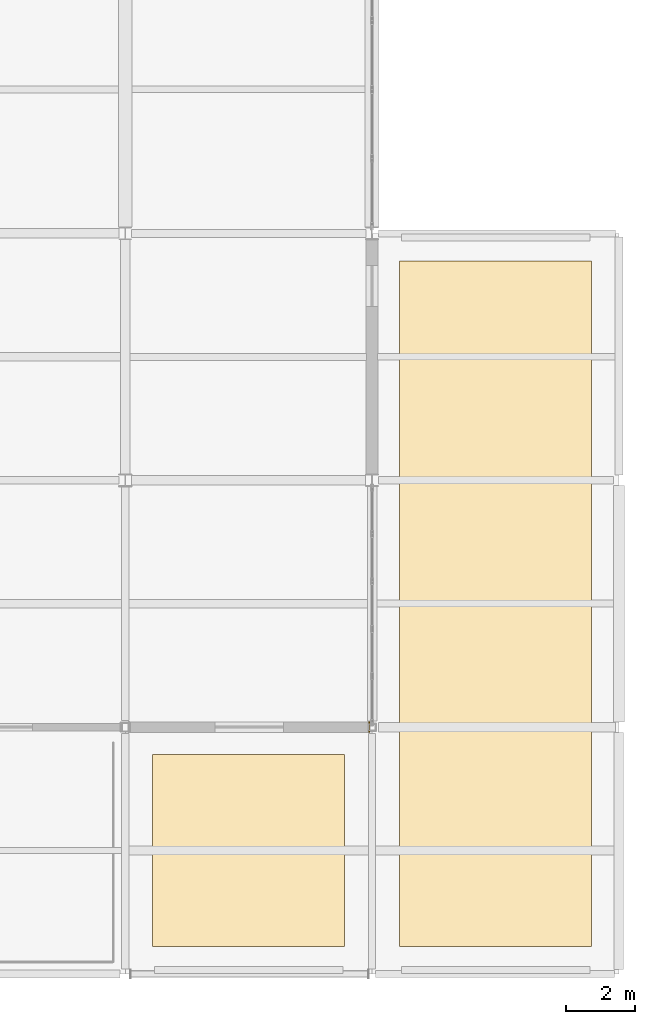
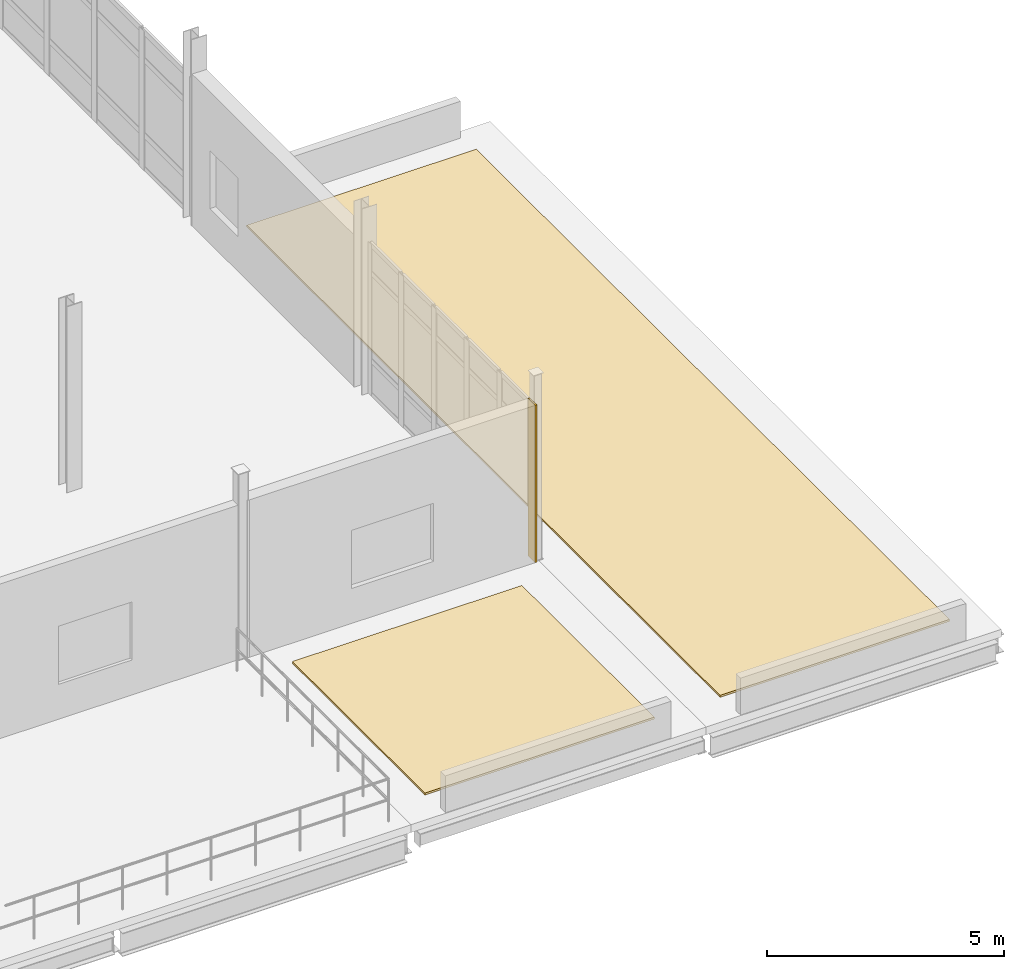
# One storey, part 184 of 186: 3 coverings.
"""IFC4 building model written with IfcOpenShell, lengths in metres."""

import ifcopenshell
import ifcopenshell.guid

model = None  # the IFC model being written
_history = None  # IfcOwnerHistory: only IFC2X3 demands one
_inside = {}  # id of a spatial element -> (the spatial element, [elements in it])
_under = {}  # id of a project, library or spatial element -> (it, [spatial elements below it])
_declared = {}  # id of a project -> (the project, [libraries it declares])
_typed = {}  # id of a type object -> (the type object, [elements of that type])
_made_of = {}  # id of a material, layer set ... -> (it, [elements and type objects made of it])


def new_model(schema):
    """Start an empty IFC model of exactly this schema.

    Asked for "IFC4X3", IfcOpenShell would pick the latest addendum, in which some entities
    have other attributes; the version numbers below select the first issue.
    IFC2X3 requires an IfcOwnerHistory on every rooted entity: one is made here for all.
    """
    global model, _history
    if schema == "IFC4X3":
        model = ifcopenshell.file(schema_version=(4, 3, 0, 0))
    else:
        model = ifcopenshell.file(schema=schema)
    _inside.clear()
    _under.clear()
    _declared.clear()
    _typed.clear()
    _made_of.clear()
    _history = None
    if model.schema == "IFC2X3":
        org = make("IfcOrganization", Name="unknown")
        user = make(
            "IfcPersonAndOrganization",
            ThePerson=make("IfcPerson", FamilyName="unknown"),
            TheOrganization=org,
        )
        app = make(
            "IfcApplication",
            ApplicationDeveloper=org,
            Version="unknown",
            ApplicationFullName="unknown",
            ApplicationIdentifier="unknown",
        )
        _history = make(
            "IfcOwnerHistory",
            OwningUser=user,
            OwningApplication=app,
            ChangeAction="ADDED",
            CreationDate=0,
        )
    return model


def make(cls, **values):
    """One entity of the class cls with the attributes given. An attribute that is None is left unset."""
    return model.create_entity(
        cls, **{name: value for name, value in values.items() if value is not None}
    )


def rooted(cls, **values):
    """An entity with a GlobalId (a new one), such as an element, a storey or a relation."""
    return make(cls, GlobalId=ifcopenshell.guid.new(), OwnerHistory=_history, **values)


def si_unit(unit_type, name, prefix=None):
    """IfcSIUnit, for example si_unit("LENGTHUNIT", "METRE", prefix="MILLI")."""
    return make("IfcSIUnit", UnitType=unit_type, Prefix=prefix, Name=name)


def assignment(units):
    """IfcUnitAssignment: the units of a project."""
    return None if units is None else make("IfcUnitAssignment", Units=units)


def point(xyz):
    """IfcCartesianPoint."""
    return None if xyz is None else make("IfcCartesianPoint", Coordinates=xyz)


def direction(xyz):
    """IfcDirection."""
    return None if xyz is None else make("IfcDirection", DirectionRatios=xyz)


def frame(location, z_axis=None, x_axis=None):
    """IfcAxis2Placement3D, a coordinate frame: its origin and axes. An axis left out is left unset."""
    return make(
        "IfcAxis2Placement3D",
        Location=point(location),
        Axis=direction(z_axis),
        RefDirection=direction(x_axis),
    )


def origin():
    """The frame at (0, 0, 0) with its axes left unset."""
    return frame((0.0, 0.0, 0.0))


def place(relative_to, where):
    """IfcLocalPlacement: puts the frame where relative to a parent placement (None: the world)."""
    return make(
        "IfcLocalPlacement", PlacementRelTo=relative_to, RelativePlacement=where
    )


def context(
    kind, dimensions, precision=None, world=None, true_north=None, identifier=None
):
    """IfcGeometricRepresentationContext, for example the 3D "Model" context."""
    return make(
        "IfcGeometricRepresentationContext",
        ContextIdentifier=identifier,
        ContextType=kind,
        CoordinateSpaceDimension=dimensions,
        Precision=precision,
        WorldCoordinateSystem=world,
        TrueNorth=true_north,
    )


def subcontext(parent, identifier, kind, view, scale=None):
    """IfcGeometricRepresentationSubContext, for example "Body" below "Model"."""
    return make(
        "IfcGeometricRepresentationSubContext",
        ContextIdentifier=identifier,
        ContextType=kind,
        ParentContext=parent,
        TargetScale=scale,
        TargetView=view,
    )


def project(units=None, contexts=None):
    """IfcProject with its units and contexts."""
    return rooted(
        "IfcProject",
        Name="project",
        RepresentationContexts=contexts,
        UnitsInContext=assignment(units),
    )


def spatial(cls, under=None, at=None, **own):
    """A site, building, storey or space (cls), placed at a placement, below another one or the project."""
    s = rooted(cls, ObjectPlacement=at, **own)
    if under is not None:
        _under.setdefault(under.id(), (under, []))[1].append(s)
    return s


def polyline(points):
    """IfcPolyline through the points."""
    return make("IfcPolyline", Points=[point(p) for p in points])


def outline(outer, holes=None, kind="AREA"):
    """IfcArbitraryClosedProfileDef: a profile drawn as a closed curve; with holes, ...WithVoids."""
    if holes is None:
        return make("IfcArbitraryClosedProfileDef", ProfileType=kind, OuterCurve=outer)
    return make(
        "IfcArbitraryProfileDefWithVoids",
        ProfileType=kind,
        OuterCurve=outer,
        InnerCurves=holes,
    )


def extrude(swept, where, along, depth):
    """IfcExtrudedAreaSolid: the profile swept, set in the frame where, extruded along a direction by depth."""
    return make(
        "IfcExtrudedAreaSolid",
        SweptArea=swept,
        Position=where,
        ExtrudedDirection=direction(along),
        Depth=depth,
    )


def shape(context_of_items, identifier, shape_type, items):
    """IfcShapeRepresentation: the items that make up one representation, for example the "Body"."""
    return make(
        "IfcShapeRepresentation",
        ContextOfItems=context_of_items,
        RepresentationIdentifier=identifier,
        RepresentationType=shape_type,
        Items=items,
    )


def material(Name=None, Category=None):
    """IfcMaterial."""
    return make("IfcMaterial", Name=Name, Category=Category)


def layer(
    of_material, thickness, ventilated=None, Name=None, Category=None, Priority=None
):
    """IfcMaterialLayer: one layer of a wall or slab, of a material (None: an air gap)."""
    return make(
        "IfcMaterialLayer",
        Material=of_material,
        LayerThickness=thickness,
        IsVentilated=ventilated,
        Name=Name,
        Category=Category,
        Priority=Priority,
    )


def layer_set(layers, Name=None):
    """IfcMaterialLayerSet."""
    return make("IfcMaterialLayerSet", MaterialLayers=layers, LayerSetName=Name)


def made_of(thing, what):
    """Note that an element or type object is made of a material, layer set ...; save() writes the relation."""
    if what is not None:
        _made_of.setdefault(what.id(), (what, []))[1].append(thing)
    return thing


def type_object(cls, material=None, **own):
    """A type object (cls), such as IfcWallType, which elements share."""
    return made_of(rooted(cls, **own), material)


def element(
    cls,
    number,
    at=None,
    inside=None,
    cuts=None,
    type_object=None,
    material=None,
    context=None,
    identifier="Body",
    shape_type=None,
    held_by="IfcProductDefinitionShape",
    body=None,
    shapes=None,
    **own,
):
    """One element of the class cls, such as IfcWall. Its Tag is "e" and its number.

    at: its placement. inside: the storey or other place that contains it. cuts: it is an
    opening in that element (IfcRelVoidsElement). A single representation is given by context,
    identifier, shape_type and body (its items); several are given by shapes. held_by: the class
    of the entity that holds the representations. save() writes the other relations.
    """
    e = rooted(cls, Tag="e%d" % number, ObjectPlacement=at, **own)
    if body is not None:
        shapes = [shape(context, identifier, shape_type, body)]
    if shapes is not None:
        e.Representation = make(held_by, Representations=shapes)
    if inside is not None:
        _inside.setdefault(inside.id(), (inside, []))[1].append(e)
    if cuts is not None:
        rooted(
            "IfcRelVoidsElement", RelatingBuildingElement=cuts, RelatedOpeningElement=e
        )
    if type_object is not None:
        _typed.setdefault(type_object.id(), (type_object, []))[1].append(e)
    return made_of(e, material)


def aggregate(whole, parts):
    """IfcRelAggregates: a whole, such as a stair, and the parts it consists of."""
    return rooted("IfcRelAggregates", RelatingObject=whole, RelatedObjects=parts)


def save(model, path):
    """Write the relations noted so far, then the file.

    IfcRelAggregates (storeys below a building ...), IfcRelContainedInSpatialStructure (elements
    in a storey), IfcRelDefinesByType, IfcRelAssociatesMaterial and IfcRelDeclares: one each for
    every whole, place, type object, material and project.
    """
    for whole, parts in _under.values():
        aggregate(whole, parts)
    for where, things in _inside.values():
        rooted(
            "IfcRelContainedInSpatialStructure",
            RelatedElements=things,
            RelatingStructure=where,
        )
    for kind, things in _typed.values():
        rooted("IfcRelDefinesByType", RelatedObjects=things, RelatingType=kind)
    for what, things in _made_of.values():
        rooted("IfcRelAssociatesMaterial", RelatedObjects=things, RelatingMaterial=what)
    for by, libraries in _declared.values():
        rooted("IfcRelDeclares", RelatingContext=by, RelatedDefinitions=libraries)
    model.write(path)


model = new_model("IFC4")

# Units and contexts
model_context = context("Model", 3, precision=1e-05, world=origin(), true_north=direction((0.0, 1.0)))
body_context = subcontext(model_context, "Body", "Model", "MODEL_VIEW")
ifc_project = project(units=[si_unit("LENGTHUNIT", "METRE"), si_unit("AREAUNIT", "SQUARE_METRE"), si_unit("VOLUMEUNIT", "CUBIC_METRE"), si_unit("PLANEANGLEUNIT", "RADIAN"), si_unit("MASSUNIT", "GRAM", prefix="KILO")], contexts=[model_context])

# Site, building, storey
site_placement = place(None, origin())
site = spatial("IfcSite", under=ifc_project, at=site_placement, CompositionType="ELEMENT")
building_placement = place(site_placement, origin())
building = spatial("IfcBuilding", under=site, at=building_placement, Name="Calvrana Isthmian Art Gallery", CompositionType="ELEMENT")
storey_placement = place(building_placement, frame((0.0, 0.0, 5.39990234375)))
storey = spatial("IfcBuildingStorey", under=building, at=storey_placement, Name="L01", CompositionType="ELEMENT", Elevation=5.39990234375)

# Coverings
ifc_material_1 = material(Name="Polychrome glazed terracotta", Category="masonry")
ifc_layer_1 = layer(ifc_material_1, 0.0400390625, Name="Polychrome glazed terracotta")
ifc_layer_set_1 = layer_set([ifc_layer_1], Name="Polychrome glazed terracotta")
covering_type_1 = type_object("IfcCoveringType", Name="COV-CLAD-TERRA", PredefinedType="CLADDING", material=ifc_layer_set_1)
covering_1_placement = place(storey_placement, origin())
element("IfcCovering", 1, at=covering_1_placement, inside=storey, type_object=covering_type_1, Name="Column pocket weather closure L01-19-01-E", PredefinedType="CLADDING", context=body_context, shape_type="SweptSolid", body=[
    extrude(outline(polyline([(155.8984375, 7.050048828125), (155.9384765625, 7.050048828125), (155.9384765625, 7.35009765625), (155.8984375, 7.35009765625), (155.8984375, 7.050048828125)])), origin(), (0.0, 0.0, 1.0), 4.05810546875),
])
ifc_material_2 = material(Name="Standing-seam zinc-aluminium roofing", Category="aluminium")
ifc_layer_2 = layer(ifc_material_2, 0.050048828125, Name="Standing-seam zinc-aluminium roofing")
ifc_layer_set_2 = layer_set([ifc_layer_2], Name="Standing-seam zinc-aluminium roofing")
covering_type_2 = type_object("IfcCoveringType", Name="COV-ROOF-ZINC", PredefinedType="ROOFING", material=ifc_layer_set_2)
covering_2_placement = place(storey_placement, origin())
element("IfcCovering", 2, at=covering_2_placement, inside=storey, type_object=covering_type_2, Name="Insulated roof membrane ROOF_V4SE_L01", PredefinedType="ROOFING", context=body_context, shape_type="SweptSolid", body=[
    extrude(outline(polyline([(149.60009765625, 0.800048828125), (155.199951171875, 0.800048828125), (155.199951171875, 6.39990234375), (149.60009765625, 6.39990234375), (149.60009765625, 0.800048828125)])), origin(), (0.0, 0.0, 1.0), 0.050048828125),
])
covering_3_placement = place(storey_placement, origin())
element("IfcCovering", 3, at=covering_3_placement, inside=storey, type_object=covering_type_2, Name="Insulated roof membrane ROOF_V4E_L01", PredefinedType="ROOFING", context=body_context, shape_type="SweptSolid", body=[
    extrude(outline(polyline([(156.800048828125, 0.800048828125), (162.39990234375, 0.800048828125), (162.39990234375, 20.800048828125), (156.800048828125, 20.800048828125), (156.800048828125, 0.800048828125)])), origin(), (0.0, 0.0, 1.0), 0.050048828125),
])

save(model, "model.ifc")
